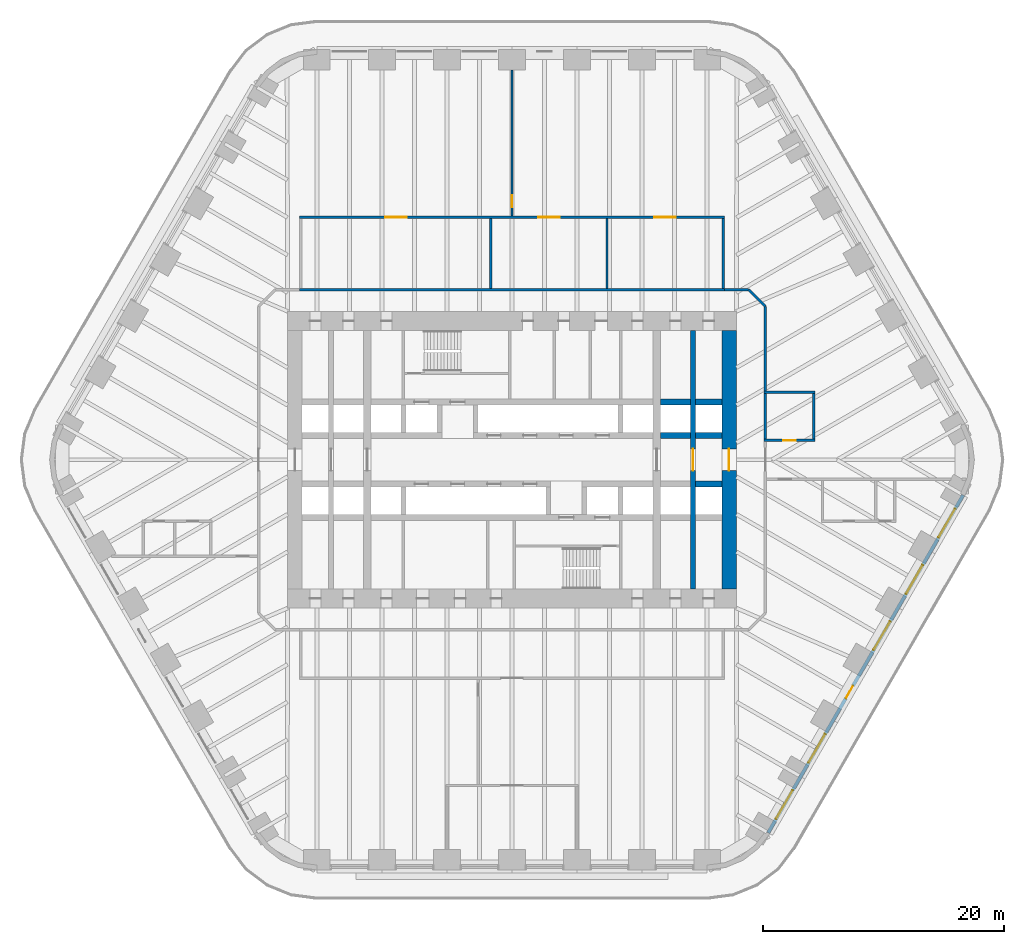
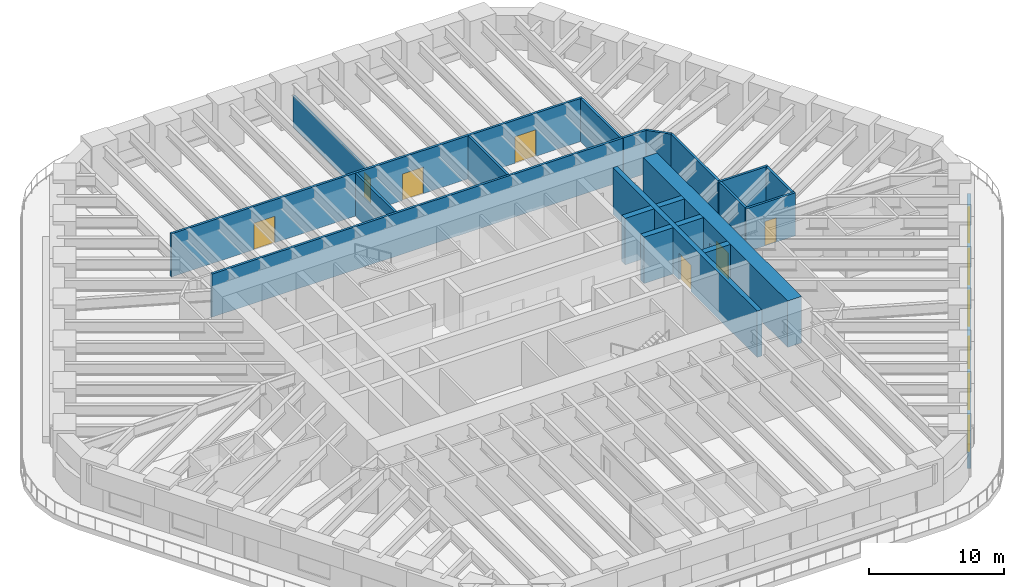
# One storey, part 12 of 16: 21 walls, 8 doors, 5 windows, 13 openings.
"""IFC4 building model written with IfcOpenShell, lengths in metres."""

from ifc_helpers import new_model, si_unit, direction, frame, frame_2d, origin, place, context, subcontext, project, spatial, rectangle, extrude, material, layer, layer_set, type_object, element, fill, save


model = new_model("IFC4")

# Units and contexts
model_context = context("Model", 3, precision=1e-05, world=origin(), true_north=direction((0.0, 1.0)))
body_context = subcontext(model_context, "Body", "Model", "MODEL_VIEW")
ifc_project = project(units=[si_unit("LENGTHUNIT", "METRE"), si_unit("AREAUNIT", "SQUARE_METRE"), si_unit("VOLUMEUNIT", "CUBIC_METRE"), si_unit("PLANEANGLEUNIT", "RADIAN"), si_unit("MASSUNIT", "GRAM", prefix="KILO")], contexts=[model_context])

# Site, building, storey
site_placement = place(None, origin())
site = spatial("IfcSite", under=ifc_project, at=site_placement, CompositionType="ELEMENT")
building_placement = place(site_placement, origin())
building = spatial("IfcBuilding", under=site, at=building_placement, Name="Tarfa Lantern Tower", CompositionType="ELEMENT")
storey_placement = place(building_placement, frame((0.0, 0.0, 103.300048828125)))
storey = spatial("IfcBuildingStorey", under=building, at=storey_placement, Name="L23", CompositionType="ELEMENT", Elevation=103.300048828125)

# Wall, openings, door, windows
ifc_material_1 = material(Name="Limestone cladding on blockwork", Category="masonry")
ifc_layer_1 = layer(ifc_material_1, 0.300048828125)
ifc_layer_set_1 = layer_set([ifc_layer_1], Name="EW1 STONE-CLAD WALL 300")
wall_type_1 = type_object("IfcWallType", Name="EW1 STONE-CLAD WALL 300", PredefinedType="SOLIDWALL", material=ifc_layer_set_1)
wall_1_placement = place(storey_placement, frame((21.232177734375, -30.925048828125, 0.0), z_axis=(0.0, 0.0, 1.0), x_axis=(0.499999163675, 0.866025886636, 0.0)))
wall_1 = element("IfcWall", 1, at=wall_1_placement, inside=storey, type_object=wall_type_1, Name="Stone wall SE", PredefinedType="SOLIDWALL", context=body_context, shape_type="SweptSolid", body=[
    extrude(rectangle(XDim=32.33154296875, YDim=0.300048828125, at=frame_2d((16.165771484375, 0.0))), origin(), (0.0, 0.0, 1.0), 2.199951171875),
])
opening_1_placement = place(wall_1_placement, frame((1.3193359375, 0.0, 0.60009765625)))
opening_1 = element("IfcOpeningElement", 2, at=opening_1_placement, cuts=wall_1, Name="Opening W3", PredefinedType="OPENING", context=body_context, shape_type="SweptSolid", body=[
    extrude(rectangle(XDim=2.75, YDim=1.35009765625, at=frame_2d((1.375, 0.675048828125))), frame((0.0, 0.159912109375, 0.0), z_axis=(0.0, -1.0, 0.0), x_axis=(1.0, 0.0, 0.0)), (0.0, 0.0, 1.0), 0.320068359375),
])
opening_2_placement = place(wall_1_placement, frame((6.7080078125, 0.0, 0.60009765625)))
opening_2 = element("IfcOpeningElement", 3, at=opening_2_placement, cuts=wall_1, Name="Opening W3", PredefinedType="OPENING", context=body_context, shape_type="SweptSolid", body=[
    extrude(rectangle(XDim=2.75, YDim=1.35009765625, at=frame_2d((1.375, 0.675048828125))), frame((0.0, 0.159912109375, 0.0), z_axis=(0.0, -1.0, 0.0), x_axis=(1.0, 0.0, 0.0)), (0.0, 0.0, 1.0), 0.320068359375),
])
opening_3_placement = place(wall_1_placement, frame((12.87158203125, 0.0, 0.0)))
opening_3 = element("IfcOpeningElement", 4, at=opening_3_placement, cuts=wall_1, Name="Opening D46", PredefinedType="OPENING", context=body_context, shape_type="SweptSolid", body=[
    extrude(rectangle(XDim=1.199951171875, YDim=2.10009765625, at=frame_2d((0.60009765625, 1.050048828125))), frame((0.0, 0.159912109375, 0.0), z_axis=(0.0, -1.0, 0.0), x_axis=(1.0, 0.0, 0.0)), (0.0, 0.0, 1.0), 0.320068359375),
])
opening_4_placement = place(wall_1_placement, frame((17.485107421875, 0.0, 0.60009765625)))
opening_4 = element("IfcOpeningElement", 5, at=opening_4_placement, cuts=wall_1, Name="Opening W3", PredefinedType="OPENING", context=body_context, shape_type="SweptSolid", body=[
    extrude(rectangle(XDim=2.75, YDim=1.35009765625, at=frame_2d((1.375, 0.675048828125))), frame((0.0, 0.159912109375, 0.0), z_axis=(0.0, -1.0, 0.0), x_axis=(1.0, 0.0, 0.0)), (0.0, 0.0, 1.0), 0.320068359375),
])
opening_5_placement = place(wall_1_placement, frame((22.873779296875, 0.0, 0.60009765625)))
opening_5 = element("IfcOpeningElement", 6, at=opening_5_placement, cuts=wall_1, Name="Opening W3", PredefinedType="OPENING", context=body_context, shape_type="SweptSolid", body=[
    extrude(rectangle(XDim=2.75, YDim=1.35009765625, at=frame_2d((1.375, 0.675048828125))), frame((0.0, 0.159912109375, 0.0), z_axis=(0.0, -1.0, 0.0), x_axis=(1.0, 0.0, 0.0)), (0.0, 0.0, 1.0), 0.320068359375),
])
opening_6_placement = place(wall_1_placement, frame((28.26220703125, 0.0, 0.60009765625)))
opening_6 = element("IfcOpeningElement", 7, at=opening_6_placement, cuts=wall_1, Name="Opening W3", PredefinedType="OPENING", context=body_context, shape_type="SweptSolid", body=[
    extrude(rectangle(XDim=2.75, YDim=1.35009765625, at=frame_2d((1.375, 0.675048828125))), frame((0.0, 0.159912109375, 0.0), z_axis=(0.0, -1.0, 0.0), x_axis=(1.0, 0.0, 0.0)), (0.0, 0.0, 1.0), 0.320068359375),
])
ifc_material_2 = material(Name="Aluminium framed glazed door", Category="aluminium")
door_type_1 = type_object("IfcDoorType", Name="BE4 BALCONY DOOR 1200x2100", OperationType="SINGLE_SWING_RIGHT", PredefinedType="DOOR", material=ifc_material_2)
door_1_placement = place(opening_3_placement, origin())
door_1 = element("IfcDoor", 8, at=door_1_placement, inside=storey, type_object=door_type_1, Name="Balcony door SE", OperationType="SINGLE_SWING_RIGHT", OverallHeight=2.10009765625, OverallWidth=1.199951171875, PredefinedType="DOOR", context=body_context, shape_type="SweptSolid", body=[
    extrude(rectangle(XDim=1.199951171875, YDim=2.10009765625, at=frame_2d((0.60009765625, 1.050048828125))), frame((0.0, 0.02490234375, 0.0), z_axis=(0.0, -1.0, 0.0), x_axis=(1.0, 0.0, 0.0)), (0.0, 0.0, 1.0), 0.050048828125),
])
fill(opening_3, door_1)
ifc_material_3 = material(Name="Aluminium frame, double glazed", Category="aluminium")
window_type = type_object("IfcWindowType", Name="W3 FULL-HEIGHT GLAZING 2750x1350", PartitioningType="SINGLE_PANEL", PredefinedType="WINDOW", material=ifc_material_3)
window_1_placement = place(opening_1_placement, origin())
window_1 = element("IfcWindow", 9, at=window_1_placement, inside=storey, type_object=window_type, Name="Window SE 1", OverallHeight=1.35009765625, OverallWidth=2.75, PartitioningType="SINGLE_PANEL", PredefinedType="WINDOW", context=body_context, shape_type="SweptSolid", body=[
    extrude(rectangle(XDim=2.75, YDim=1.35009765625, at=frame_2d((1.375, 0.675048828125))), frame((0.0, 0.030029296875, 0.0), z_axis=(0.0, -1.0, 0.0), x_axis=(1.0, 0.0, 0.0)), (0.0, 0.0, 1.0), 0.06005859375),
])
fill(opening_1, window_1)
window_2_placement = place(opening_2_placement, origin())
window_2 = element("IfcWindow", 10, at=window_2_placement, inside=storey, type_object=window_type, Name="Window SE 2", OverallHeight=1.35009765625, OverallWidth=2.75, PartitioningType="SINGLE_PANEL", PredefinedType="WINDOW", context=body_context, shape_type="SweptSolid", body=[
    extrude(rectangle(XDim=2.75, YDim=1.35009765625, at=frame_2d((1.375, 0.675048828125))), frame((0.0, 0.030029296875, 0.0), z_axis=(0.0, -1.0, 0.0), x_axis=(1.0, 0.0, 0.0)), (0.0, 0.0, 1.0), 0.06005859375),
])
fill(opening_2, window_2)
window_3_placement = place(opening_4_placement, origin())
window_3 = element("IfcWindow", 11, at=window_3_placement, inside=storey, type_object=window_type, Name="Window SE 4", OverallHeight=1.35009765625, OverallWidth=2.75, PartitioningType="SINGLE_PANEL", PredefinedType="WINDOW", context=body_context, shape_type="SweptSolid", body=[
    extrude(rectangle(XDim=2.75, YDim=1.35009765625, at=frame_2d((1.375, 0.675048828125))), frame((0.0, 0.030029296875, 0.0), z_axis=(0.0, -1.0, 0.0), x_axis=(1.0, 0.0, 0.0)), (0.0, 0.0, 1.0), 0.06005859375),
])
fill(opening_4, window_3)
window_4_placement = place(opening_5_placement, origin())
window_4 = element("IfcWindow", 12, at=window_4_placement, inside=storey, type_object=window_type, Name="Window SE 5", OverallHeight=1.35009765625, OverallWidth=2.75, PartitioningType="SINGLE_PANEL", PredefinedType="WINDOW", context=body_context, shape_type="SweptSolid", body=[
    extrude(rectangle(XDim=2.75, YDim=1.35009765625, at=frame_2d((1.375, 0.675048828125))), frame((0.0, 0.030029296875, 0.0), z_axis=(0.0, -1.0, 0.0), x_axis=(1.0, 0.0, 0.0)), (0.0, 0.0, 1.0), 0.06005859375),
])
fill(opening_5, window_4)
window_5_placement = place(opening_6_placement, origin())
window_5 = element("IfcWindow", 13, at=window_5_placement, inside=storey, type_object=window_type, Name="Window SE 6", OverallHeight=1.35009765625, OverallWidth=2.75, PartitioningType="SINGLE_PANEL", PredefinedType="WINDOW", context=body_context, shape_type="SweptSolid", body=[
    extrude(rectangle(XDim=2.75, YDim=1.35009765625, at=frame_2d((1.375, 0.675048828125))), frame((0.0, 0.030029296875, 0.0), z_axis=(0.0, -1.0, 0.0), x_axis=(1.0, 0.0, 0.0)), (0.0, 0.0, 1.0), 0.06005859375),
])
fill(opening_6, window_5)

# Wall
ifc_material_4 = material(Name="Gypsum board on steel studs", Category="steel")
ifc_layer_2 = layer(ifc_material_4, 0.2099609375)
ifc_layer_set_2 = layer_set([ifc_layer_2], Name="IW2 ACOUSTIC PARTITION 200")
wall_type_2 = type_object("IfcWallType", Name="IW2 ACOUSTIC PARTITION 200", PredefinedType="PARTITIONING", material=ifc_layer_set_2)
wall_2_placement = place(storey_placement, frame((-17.60009765625, 14.10009765625, 0.0), z_axis=(0.0, 0.0, 1.0), x_axis=(1.0, 0.0, 0.0)))
element("IfcWall", 14, at=wall_2_placement, inside=storey, type_object=wall_type_2, Name="Partition", PredefinedType="PARTITIONING", context=body_context, shape_type="SweptSolid", body=[
    extrude(rectangle(XDim=35.2001953125, YDim=0.199951171875, at=frame_2d((17.60009765625, 0.0))), origin(), (0.0, 0.0, 1.0), 3.89990234375),
])

# Wall, openings, doors
wall_3_placement = place(storey_placement, frame((-17.60009765625, 20.10009765625, 0.0), z_axis=(0.0, 0.0, 1.0), x_axis=(1.0, 0.0, 0.0)))
wall_3 = element("IfcWall", 15, at=wall_3_placement, inside=storey, type_object=wall_type_2, Name="Partition", PredefinedType="PARTITIONING", context=body_context, shape_type="SweptSolid", body=[
    extrude(rectangle(XDim=35.2001953125, YDim=0.199951171875, at=frame_2d((17.60009765625, 0.0))), origin(), (0.0, 0.0, 1.0), 3.89990234375),
])
opening_7_placement = place(wall_3_placement, frame((7.074951171875, 0.0, 0.0)))
opening_7 = element("IfcOpeningElement", 16, at=opening_7_placement, cuts=wall_3, Name="Opening D31", PredefinedType="OPENING", context=body_context, shape_type="SweptSolid", body=[
    extrude(rectangle(XDim=1.800048828125, YDim=2.39990234375, at=frame_2d((0.89990234375, 1.199951171875))), frame((0.0, 0.10986328125, 0.0), z_axis=(0.0, -1.0, 0.0), x_axis=(1.0, 0.0, 0.0)), (0.0, 0.0, 1.0), 0.219970703125),
])
opening_8_placement = place(wall_3_placement, frame((19.762451171875, 0.0, 0.0)))
opening_8 = element("IfcOpeningElement", 17, at=opening_8_placement, cuts=wall_3, Name="Opening D32", PredefinedType="OPENING", context=body_context, shape_type="SweptSolid", body=[
    extrude(rectangle(XDim=1.800048828125, YDim=2.39990234375, at=frame_2d((0.89990234375, 1.199951171875))), frame((0.0, 0.10986328125, 0.0), z_axis=(0.0, -1.0, 0.0), x_axis=(1.0, 0.0, 0.0)), (0.0, 0.0, 1.0), 0.219970703125),
])
opening_9_placement = place(wall_3_placement, frame((29.387451171875, 0.0, 0.0)))
opening_9 = element("IfcOpeningElement", 18, at=opening_9_placement, cuts=wall_3, Name="Opening D33", PredefinedType="OPENING", context=body_context, shape_type="SweptSolid", body=[
    extrude(rectangle(XDim=1.800048828125, YDim=2.39990234375, at=frame_2d((0.89990234375, 1.199951171875))), frame((0.0, 0.10986328125, 0.0), z_axis=(0.0, -1.0, 0.0), x_axis=(1.0, 0.0, 0.0)), (0.0, 0.0, 1.0), 0.219970703125),
])
ifc_material_5 = material(Name="Timber door", Category="wood")
door_type_2 = type_object("IfcDoorType", Name="DR2 ROOM DOOR 1800x2400", OperationType="DOUBLE_DOOR_SINGLE_SWING", PredefinedType="DOOR", material=ifc_material_5)
door_2_placement = place(opening_7_placement, frame((1.800048828125, 0.0, 0.0), z_axis=(0.0, 0.0, 1.0), x_axis=(-1.0, 0.0, 0.0)))
door_2 = element("IfcDoor", 19, at=door_2_placement, inside=storey, type_object=door_type_2, Name="Recording studio door", OperationType="DOUBLE_DOOR_SINGLE_SWING", OverallHeight=2.39990234375, OverallWidth=1.800048828125, PredefinedType="DOOR", context=body_context, shape_type="SweptSolid", body=[
    extrude(rectangle(XDim=1.800048828125, YDim=2.39990234375, at=frame_2d((0.89990234375, 1.199951171875))), frame((0.0, 0.02490234375, 0.0), z_axis=(0.0, -1.0, 0.0), x_axis=(1.0, 0.0, 0.0)), (0.0, 0.0, 1.0), 0.050048828125),
])
fill(opening_7, door_2)
door_3_placement = place(opening_8_placement, frame((1.800048828125, 0.0, 0.0), z_axis=(0.0, 0.0, 1.0), x_axis=(-1.0, 0.0, 0.0)))
door_3 = element("IfcDoor", 20, at=door_3_placement, inside=storey, type_object=door_type_2, Name="Edit suite door", OperationType="DOUBLE_DOOR_SINGLE_SWING", OverallHeight=2.39990234375, OverallWidth=1.800048828125, PredefinedType="DOOR", context=body_context, shape_type="SweptSolid", body=[
    extrude(rectangle(XDim=1.800048828125, YDim=2.39990234375, at=frame_2d((0.89990234375, 1.199951171875))), frame((0.0, 0.02490234375, 0.0), z_axis=(0.0, -1.0, 0.0), x_axis=(1.0, 0.0, 0.0)), (0.0, 0.0, 1.0), 0.050048828125),
])
fill(opening_8, door_3)
door_4_placement = place(opening_9_placement, frame((1.800048828125, 0.0, 0.0), z_axis=(0.0, 0.0, 1.0), x_axis=(-1.0, 0.0, 0.0)))
door_4 = element("IfcDoor", 21, at=door_4_placement, inside=storey, type_object=door_type_2, Name="Edit suite door", OperationType="DOUBLE_DOOR_SINGLE_SWING", OverallHeight=2.39990234375, OverallWidth=1.800048828125, PredefinedType="DOOR", context=body_context, shape_type="SweptSolid", body=[
    extrude(rectangle(XDim=1.800048828125, YDim=2.39990234375, at=frame_2d((0.89990234375, 1.199951171875))), frame((0.0, 0.02490234375, 0.0), z_axis=(0.0, -1.0, 0.0), x_axis=(1.0, 0.0, 0.0)), (0.0, 0.0, 1.0), 0.050048828125),
])
fill(opening_9, door_4)

# Walls
for number, where, z_axis, x_axis, name in (
    (22, (-1.75, 14.199951171875, 0.0), (0.0, 0.0, 1.0), (0.0, 1.0, 0.0), "Partition"),
    (23, (7.875, 14.199951171875, 0.0), (0.0, 0.0, 1.0), (0.0, 1.0, 0.0), "Partition"),
    (24, (17.5, 14.199951171875, 0.0), (0.0, 0.0, 1.0), (0.0, 1.0, 0.0), "Partition"),
):
    element("IfcWall", number, at=place(storey_placement, frame(where, z_axis=z_axis, x_axis=x_axis)), inside=storey, type_object=wall_type_2, Name=name, PredefinedType="PARTITIONING", context=body_context, shape_type="SweptSolid", body=[
        extrude(rectangle(XDim=5.800048828125, YDim=0.199951171875, at=frame_2d((2.89990234375, 0.0))), origin(), (0.0, 0.0, 1.0), 3.89990234375),
    ])

# Wall, opening, door
wall_4_placement = place(storey_placement, frame((20.89990234375, 1.60009765625, 0.0), z_axis=(0.0, 0.0, 1.0), x_axis=(1.0, 0.0, 0.0)))
wall_4 = element("IfcWall", 25, at=wall_4_placement, inside=storey, type_object=wall_type_2, Name="Partition", PredefinedType="PARTITIONING", context=body_context, shape_type="SweptSolid", body=[
    extrude(rectangle(XDim=4.2001953125, YDim=0.199951171875, at=frame_2d((2.10009765625, 0.0))), origin(), (0.0, 0.0, 1.0), 3.89990234375),
])
opening_10_placement = place(wall_4_placement, frame((1.60009765625, 0.0, 0.0)))
opening_10 = element("IfcOpeningElement", 26, at=opening_10_placement, cuts=wall_4, Name="Opening D29", PredefinedType="OPENING", context=body_context, shape_type="SweptSolid", body=[
    extrude(rectangle(XDim=1.0, YDim=2.199951171875, at=frame_2d((0.5, 1.10009765625))), frame((0.0, 0.10986328125, 0.0), z_axis=(0.0, -1.0, 0.0), x_axis=(1.0, 0.0, 0.0)), (0.0, 0.0, 1.0), 0.219970703125),
])
door_type_3 = type_object("IfcDoorType", Name="DR1 ROOM DOOR 1000x2200", OperationType="SINGLE_SWING_LEFT", PredefinedType="DOOR", material=ifc_material_5)
door_5_placement = place(opening_10_placement, origin())
door_5 = element("IfcDoor", 27, at=door_5_placement, inside=storey, type_object=door_type_3, Name="Photo store door", OperationType="SINGLE_SWING_RIGHT", OverallHeight=2.199951171875, OverallWidth=1.0, PredefinedType="DOOR", context=body_context, shape_type="SweptSolid", body=[
    extrude(rectangle(XDim=1.0, YDim=2.199951171875, at=frame_2d((0.5, 1.10009765625))), frame((0.0, 0.02490234375, 0.0), z_axis=(0.0, -1.0, 0.0), x_axis=(1.0, 0.0, 0.0)), (0.0, 0.0, 1.0), 0.050048828125),
])
fill(opening_10, door_5)

# Walls
wall_5_placement = place(storey_placement, frame((20.89990234375, 5.60009765625, 0.0), z_axis=(0.0, 0.0, 1.0), x_axis=(1.0, 0.0, 0.0)))
element("IfcWall", 28, at=wall_5_placement, inside=storey, type_object=wall_type_2, Name="Partition", PredefinedType="PARTITIONING", context=body_context, shape_type="SweptSolid", body=[
    extrude(rectangle(XDim=4.2001953125, YDim=0.199951171875, at=frame_2d((2.10009765625, 0.0))), origin(), (0.0, 0.0, 1.0), 3.89990234375),
])
for number, where, z_axis, x_axis, name in (
    (29, (21.0, 1.699951171875, 0.0), (0.0, 0.0, 1.0), (0.0, 1.0, 0.0), "Partition"),
    (30, (25.0, 1.699951171875, 0.0), (0.0, 0.0, 1.0), (0.0, 1.0, 0.0), "Partition"),
):
    element("IfcWall", number, at=place(storey_placement, frame(where, z_axis=z_axis, x_axis=x_axis)), inside=storey, type_object=wall_type_2, Name=name, PredefinedType="PARTITIONING", context=body_context, shape_type="SweptSolid", body=[
        extrude(rectangle(XDim=3.800048828125, YDim=0.199951171875, at=frame_2d((1.89990234375, 0.0))), origin(), (0.0, 0.0, 1.0), 3.89990234375),
    ])
wall_6_placement = place(storey_placement, frame((17.60009765625, 14.10009765625, 0.0), z_axis=(0.0, 0.0, 1.0), x_axis=(1.0, 0.0, 0.0)))
element("IfcWall", 31, at=wall_6_placement, inside=storey, type_object=wall_type_2, Name="Partition", PredefinedType="PARTITIONING", context=body_context, shape_type="SweptSolid", body=[
    extrude(rectangle(XDim=2.0, YDim=0.199951171875, at=frame_2d((1.0, 0.0))), origin(), (0.0, 0.0, 1.0), 3.89990234375),
])
wall_7_placement = place(storey_placement, frame((19.60009765625, 14.10009765625, 0.0), z_axis=(0.0, 0.0, 1.0), x_axis=(0.707045124756, -0.707168432242, 0.0)))
element("IfcWall", 32, at=wall_7_placement, inside=storey, type_object=wall_type_2, Name="Partition", PredefinedType="PARTITIONING", context=body_context, shape_type="SweptSolid", body=[
    extrude(rectangle(XDim=1.97998046875, YDim=0.199951171875, at=frame_2d((0.989990234375, 0.0))), origin(), (0.0, 0.0, 1.0), 3.89990234375),
])
wall_8_placement = place(storey_placement, frame((21.0, 12.699951171875, 0.0), z_axis=(0.0, 0.0, 1.0), x_axis=(0.0, -1.0, 0.0)))
element("IfcWall", 33, at=wall_8_placement, inside=storey, type_object=wall_type_2, Name="Partition", PredefinedType="PARTITIONING", context=body_context, shape_type="SweptSolid", body=[
    extrude(rectangle(XDim=6.9990234375, YDim=0.199951171875, at=frame_2d((3.49951171875, 0.0))), origin(), (0.0, 0.0, 1.0), 3.89990234375),
])

# Wall, opening, door
wall_9_placement = place(storey_placement, frame((0.0, 20.199951171875, 0.0), z_axis=(0.0, 0.0, 1.0), x_axis=(0.0, 1.0, 0.0)))
wall_9 = element("IfcWall", 34, at=wall_9_placement, inside=storey, type_object=wall_type_2, Name="Partition", PredefinedType="PARTITIONING", context=body_context, shape_type="SweptSolid", body=[
    extrude(rectangle(XDim=12.10009765625, YDim=0.199951171875, at=frame_2d((6.050048828125, 0.0))), origin(), (0.0, 0.0, 1.0), 2.843994140625),
])
opening_11_placement = place(wall_9_placement, frame((0.7099609375, 0.0, 0.0)))
opening_11 = element("IfcOpeningElement", 35, at=opening_11_placement, cuts=wall_9, Name="Opening D42", PredefinedType="OPENING", context=body_context, shape_type="SweptSolid", body=[
    extrude(rectangle(XDim=1.0, YDim=2.199951171875, at=frame_2d((0.5, 1.10009765625))), frame((0.0, 0.10986328125, 0.0), z_axis=(0.0, -1.0, 0.0), x_axis=(1.0, 0.0, 0.0)), (0.0, 0.0, 1.0), 0.219970703125),
])
door_6_placement = place(opening_11_placement, frame((1.0, 0.0, 0.0), z_axis=(0.0, 0.0, 1.0), x_axis=(-1.0, 0.0, 0.0)))
door_6 = element("IfcDoor", 36, at=door_6_placement, inside=storey, type_object=door_type_3, Name="Zone door", OperationType="SINGLE_SWING_LEFT", OverallHeight=2.199951171875, OverallWidth=1.0, PredefinedType="DOOR", context=body_context, shape_type="SweptSolid", body=[
    extrude(rectangle(XDim=1.0, YDim=2.199951171875, at=frame_2d((0.5, 1.10009765625))), frame((0.0, 0.02490234375, 0.0), z_axis=(0.0, -1.0, 0.0), x_axis=(1.0, 0.0, 0.0)), (0.0, 0.0, 1.0), 0.050048828125),
])
fill(opening_11, door_6)

ifc_material_6 = material(Name="Concrete C80/95", Category="concrete")
ifc_layer_3 = layer(ifc_material_6, 1.199951171875)
ifc_layer_set_3 = layer_set([ifc_layer_3], Name="SW1 CORE WALL 1200")
wall_type_3 = type_object("IfcWallType", Name="SW1 CORE WALL 1200", PredefinedType="SHEAR", material=ifc_layer_set_3)
wall_10_placement = place(storey_placement, frame((18.0, -10.699951171875, 0.0), z_axis=(0.0, 0.0, 1.0), x_axis=(0.0, 1.0, 0.0)))
wall_10 = element("IfcWall", 37, at=wall_10_placement, inside=storey, type_object=wall_type_3, Name="Core wall E", PredefinedType="SHEAR", context=body_context, shape_type="SweptSolid", body=[
    extrude(rectangle(XDim=21.39990234375, YDim=1.199951171875, at=frame_2d((10.699951171875, 0.0))), origin(), (0.0, 0.0, 1.0), 4.199951171875),
])
opening_12_placement = place(wall_10_placement, frame((9.800048828125, 0.0, 0.0)))
opening_12 = element("IfcOpeningElement", 38, at=opening_12_placement, cuts=wall_10, Name="Opening D15", PredefinedType="OPENING", context=body_context, shape_type="SweptSolid", body=[
    extrude(rectangle(XDim=1.800048828125, YDim=2.39990234375, at=frame_2d((0.89990234375, 1.199951171875))), frame((0.0, 0.60986328125, 0.0), z_axis=(0.0, -1.0, 0.0), x_axis=(1.0, 0.0, 0.0)), (0.0, 0.0, 1.0), 1.219970703125),
])
ifc_material_7 = material(Name="Steel fire door", Category="steel")
door_type_4 = type_object("IfcDoorType", Name="DL1 LOBBY DOOR 1800x2400", OperationType="DOUBLE_DOOR_SINGLE_SWING", PredefinedType="DOOR", material=ifc_material_7)
door_7_placement = place(opening_12_placement, frame((1.800048828125, 0.0, 0.0), z_axis=(0.0, 0.0, 1.0), x_axis=(-1.0, 0.0, 0.0)))
door_7 = element("IfcDoor", 39, at=door_7_placement, inside=storey, type_object=door_type_4, Name="Lift lobby door", OperationType="DOUBLE_DOOR_SINGLE_SWING", OverallHeight=2.39990234375, OverallWidth=1.800048828125, PredefinedType="DOOR", context=body_context, shape_type="SweptSolid", body=[
    extrude(rectangle(XDim=1.800048828125, YDim=2.39990234375, at=frame_2d((0.89990234375, 1.199951171875))), frame((0.0, 0.02490234375, 0.0), z_axis=(0.0, -1.0, 0.0), x_axis=(1.0, 0.0, 0.0)), (0.0, 0.0, 1.0), 0.050048828125),
])
fill(opening_12, door_7)

# Walls
ifc_layer_4 = layer(ifc_material_6, 0.5)
ifc_layer_set_4 = layer_set([ifc_layer_4], Name="SW5 CORE WALL 500")
wall_type_4 = type_object("IfcWallType", Name="SW5 CORE WALL 500", PredefinedType="SHEAR", material=ifc_layer_set_4)
wall_11_placement = place(storey_placement, frame((12.300048828125, 2.0, 0.0), z_axis=(0.0, 0.0, 1.0), x_axis=(1.0, 0.0, 0.0)))
element("IfcWall", 40, at=wall_11_placement, inside=storey, type_object=wall_type_4, Name="Core wall lobby east N", PredefinedType="SHEAR", context=body_context, shape_type="SweptSolid", body=[
    extrude(rectangle(XDim=2.5, YDim=0.5, at=frame_2d((1.25, 0.0))), origin(), (0.0, 0.0, 1.0), 4.199951171875),
])
wall_12_placement = place(storey_placement, frame((15.199951171875, 2.0, 0.0), z_axis=(0.0, 0.0, 1.0), x_axis=(1.0, 0.0, 0.0)))
element("IfcWall", 41, at=wall_12_placement, inside=storey, type_object=wall_type_4, Name="Core wall lobby east N", PredefinedType="SHEAR", context=body_context, shape_type="SweptSolid", body=[
    extrude(rectangle(XDim=2.199951171875, YDim=0.5, at=frame_2d((1.10009765625, 0.0))), origin(), (0.0, 0.0, 1.0), 4.199951171875),
])
wall_13_placement = place(storey_placement, frame((12.300048828125, 4.800048828125, 0.0), z_axis=(0.0, 0.0, 1.0), x_axis=(1.0, 0.0, 0.0)))
element("IfcWall", 42, at=wall_13_placement, inside=storey, type_object=wall_type_4, Name="Core wall rear N", PredefinedType="SHEAR", context=body_context, shape_type="SweptSolid", body=[
    extrude(rectangle(XDim=2.5, YDim=0.5, at=frame_2d((1.25, 0.0))), origin(), (0.0, 0.0, 1.0), 4.199951171875),
])
for number, where, z_axis, x_axis, name in (
    (43, (15.199951171875, 4.800048828125, 0.0), (0.0, 0.0, 1.0), (1.0, 0.0, 0.0), "Core wall rear N"),
    (44, (17.39990234375, -2.0, 0.0), (0.0, 0.0, 1.0), (-1.0, 0.0, 0.0), "Core wall lobby west S"),
):
    element("IfcWall", number, at=place(storey_placement, frame(where, z_axis=z_axis, x_axis=x_axis)), inside=storey, type_object=wall_type_4, Name=name, PredefinedType="SHEAR", context=body_context, shape_type="SweptSolid", body=[
        extrude(rectangle(XDim=2.199951171875, YDim=0.5, at=frame_2d((1.10009765625, 0.0))), origin(), (0.0, 0.0, 1.0), 4.199951171875),
    ])

# Wall, opening, door
ifc_layer_5 = layer(ifc_material_6, 0.39990234375)
ifc_layer_set_5 = layer_set([ifc_layer_5], Name="SW6 CORE WALL 400")
wall_type_5 = type_object("IfcWallType", Name="SW6 CORE WALL 400", PredefinedType="SHEAR", material=ifc_layer_set_5)
wall_14_placement = place(storey_placement, frame((15.0, -10.699951171875, 0.0), z_axis=(0.0, 0.0, 1.0), x_axis=(0.0, 1.0, 0.0)))
wall_14 = element("IfcWall", 45, at=wall_14_placement, inside=storey, type_object=wall_type_5, Name="Core wall cross 15 m east", PredefinedType="SHEAR", context=body_context, shape_type="SweptSolid", body=[
    extrude(rectangle(XDim=21.39990234375, YDim=0.39990234375, at=frame_2d((10.699951171875, 0.0))), origin(), (0.0, 0.0, 1.0), 4.199951171875),
])
opening_13_placement = place(wall_14_placement, frame((9.800048828125, 0.0, 0.0)))
opening_13 = element("IfcOpeningElement", 46, at=opening_13_placement, cuts=wall_14, Name="Opening D26", PredefinedType="OPENING", context=body_context, shape_type="SweptSolid", body=[
    extrude(rectangle(XDim=1.800048828125, YDim=2.39990234375, at=frame_2d((0.89990234375, 1.199951171875))), frame((0.0, 0.2099609375, 0.0), z_axis=(0.0, -1.0, 0.0), x_axis=(1.0, 0.0, 0.0)), (0.0, 0.0, 1.0), 0.419921875),
])
door_8_placement = place(opening_13_placement, origin())
door_8 = element("IfcDoor", 47, at=door_8_placement, inside=storey, type_object=door_type_4, Name="Lift lobby door", OperationType="DOUBLE_DOOR_SINGLE_SWING", OverallHeight=2.39990234375, OverallWidth=1.800048828125, PredefinedType="DOOR", context=body_context, shape_type="SweptSolid", body=[
    extrude(rectangle(XDim=1.800048828125, YDim=2.39990234375, at=frame_2d((0.89990234375, 1.199951171875))), frame((0.0, 0.02490234375, 0.0), z_axis=(0.0, -1.0, 0.0), x_axis=(1.0, 0.0, 0.0)), (0.0, 0.0, 1.0), 0.050048828125),
])
fill(opening_13, door_8)

save(model, "model.ifc")
